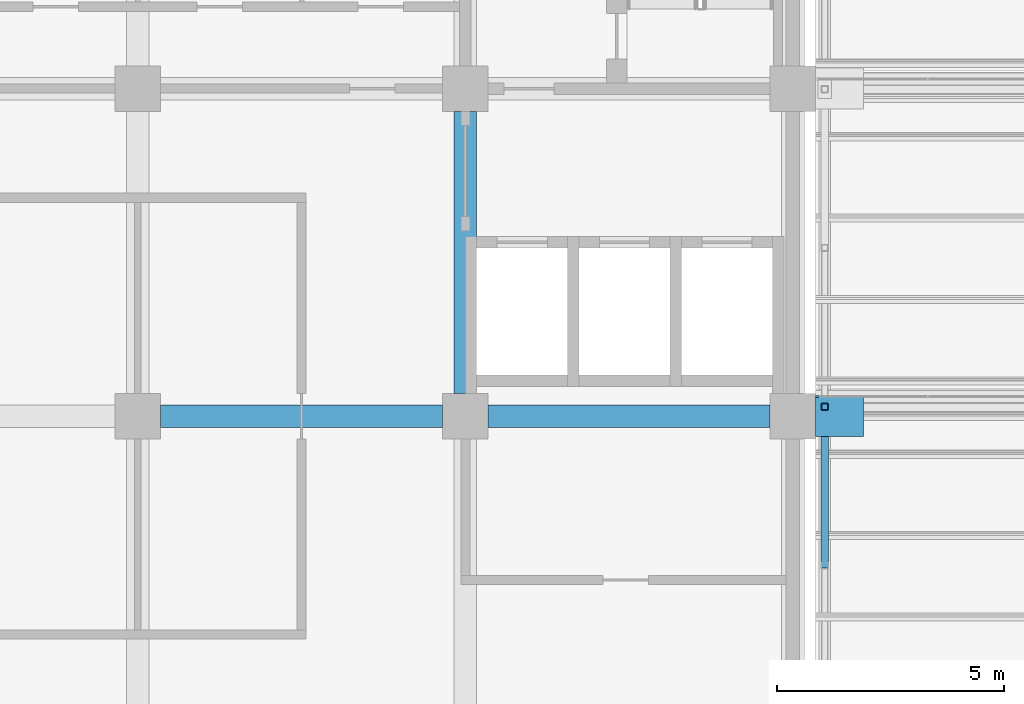
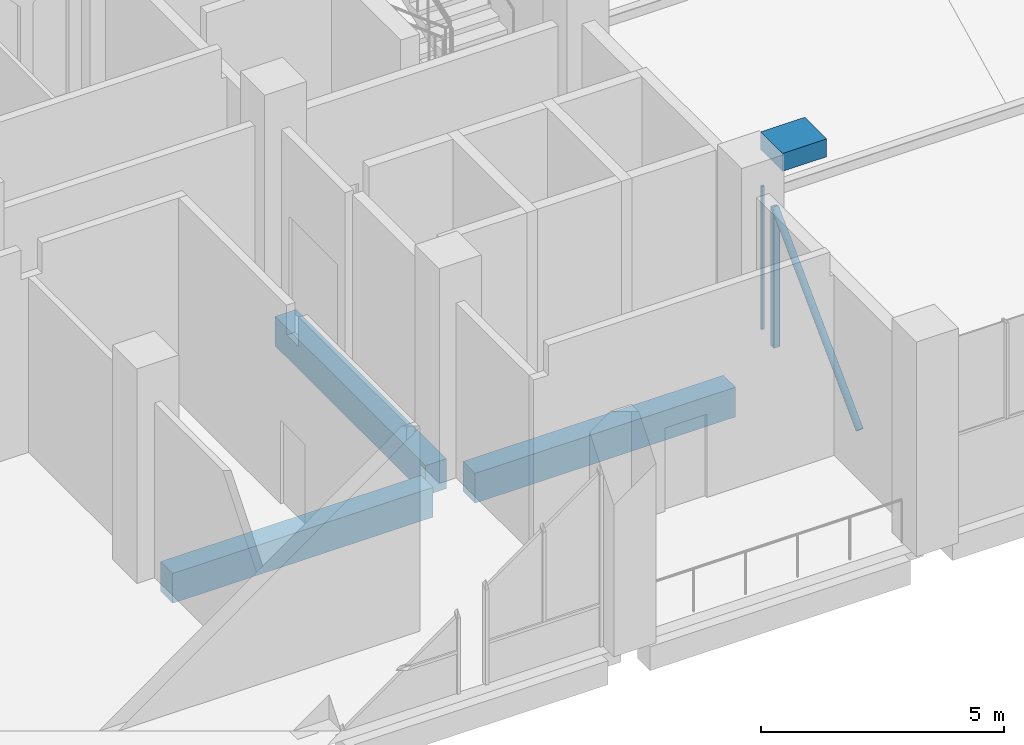
# One storey, part 24 of 83: 4 members, 3 beams, 1 element without a shape of its own.
"""IFC4 building model written with IfcOpenShell, lengths in metres."""

from ifc_helpers import new_model, si_unit, direction, frame, origin, origin_2d, place, context, subcontext, project, spatial, rectangle, hollow_rectangle, hollow_circle, extrude, material, material_profile, profile_set, type_object, element, aggregate, save


model = new_model("IFC4")

# Units and contexts
model_context = context("Model", 3, precision=1e-05, world=origin(), true_north=direction((0.0, 1.0)))
body_context = subcontext(model_context, "Body", "Model", "MODEL_VIEW")
ifc_project = project(units=[si_unit("LENGTHUNIT", "METRE"), si_unit("AREAUNIT", "SQUARE_METRE"), si_unit("VOLUMEUNIT", "CUBIC_METRE"), si_unit("PLANEANGLEUNIT", "RADIAN"), si_unit("MASSUNIT", "GRAM", prefix="KILO")], contexts=[model_context])

# Site, building, storey
site_placement = place(None, origin())
site = spatial("IfcSite", under=ifc_project, at=site_placement, CompositionType="ELEMENT")
building_placement = place(site_placement, origin())
building = spatial("IfcBuilding", under=site, at=building_placement, Name="Silangan Lancet Faculty of Sciences", CompositionType="ELEMENT")
storey_placement = place(building_placement, frame((0.0, 0.0, 11.39990234375)))
storey = spatial("IfcBuildingStorey", under=building, at=storey_placement, Name="L02", CompositionType="ELEMENT", Elevation=11.39990234375)

# Beams
ifc_material_1 = material(Name="Concrete C40/50", Category="concrete")
ifc_material_profile_1 = material_profile(ifc_material_1, rectangle(XDim=0.5, YDim=0.75, at=origin_2d()), Name="RC 500x750")
ifc_profile_set_1 = profile_set([ifc_material_profile_1], Name="Concrete C40/50")
beam_type = type_object("IfcBeamType", Name="BEAM RC 500x750", PredefinedType="BEAM", material=ifc_profile_set_1)
beam_placement = place(storey_placement, frame((14.89990234375, 43.199951171875, -0.625), z_axis=(1.0, 0.0, 0.0), x_axis=(0.0, 1.0, 0.0)))
element("IfcBeam", 1, at=beam_placement, inside=storey, type_object=beam_type, Name="BM-L02-3G-4G", PredefinedType="BEAM", context=body_context, shape_type="SweptSolid", body=[
    extrude(rectangle(XDim=0.5, YDim=0.75, at=origin_2d()), origin(), (0.0, 0.0, 1.0), 6.2001953125),
])
for number, where, z_axis, x_axis, name in (
    (2, (22.10009765625, 43.199951171875, -0.625), (1.0, 0.0, 0.0), (0.0, 1.0, 0.0), "BM-L02-4G-5G"),
    (3, (21.60009765625, 43.699951171875, -0.625), (0.0, 1.0, 0.0), (-1.0, 0.0, 0.0), "BM-L02-4G-4H"),
):
    element("IfcBeam", number, at=place(storey_placement, frame(where, z_axis=z_axis, x_axis=x_axis)), inside=storey, type_object=beam_type, Name=name, PredefinedType="BEAM", context=body_context, shape_type="SweptSolid", body=[
        extrude(rectangle(XDim=0.5, YDim=0.75, at=origin_2d()), origin(), (0.0, 0.0, 1.0), 6.199951171875),
    ])

# Member
ifc_material_2 = material(Name="Concrete C40/50 precast", Category="concrete")
ifc_material_profile_2 = material_profile(ifc_material_2, rectangle(XDim=0.89990234375, YDim=0.449951171875, at=origin_2d()), Name="RC 900x450")
ifc_profile_set_2 = profile_set([ifc_material_profile_2], Name="Concrete C40/50 precast")
member_type_1 = type_object("IfcMemberType", Name="KC4 Buttress corbel 900x450", PredefinedType="USERDEFINED", material=ifc_profile_set_2)
member_1_placement = place(storey_placement, frame((29.300048828125, 43.199951171875, 5.175048828125), z_axis=(1.0, 0.0, 0.0), x_axis=(0.0, 1.0, 0.0)))
element("IfcMember", 4, at=member_1_placement, inside=storey, type_object=member_type_1, Name="CORBEL-FINC-E-NT-02", ObjectType="CORBEL", PredefinedType="USERDEFINED", context=body_context, shape_type="SweptSolid", body=[
    extrude(rectangle(XDim=0.89990234375, YDim=0.449951171875, at=origin_2d()), origin(), (0.0, 0.0, 1.0), 1.050048828125),
])

# Curtain wall, member
ifc_material_3 = material(Name="Aluminium and laminated glass", Category="aluminium")
curtain_wall_type = type_object("IfcCurtainWallType", Name="North light glazing system", PredefinedType="NOTDEFINED", material=ifc_material_3)
curtain_wall_placement = place(storey_placement, origin())
curtain_wall = element("IfcCurtainWall", 5, at=curtain_wall_placement, inside=storey, type_object=curtain_wall_type, Name="North light glazing NAB-1-1", PredefinedType="NOTDEFINED")
ifc_material_4 = material(Name="Aluminium 6063-T6", Category="aluminium")
ifc_material_profile_3 = material_profile(ifc_material_4, rectangle(XDim=0.06005859375, YDim=0.050048828125, at=origin_2d()), Name="AL 60x50")
ifc_profile_set_3 = profile_set([ifc_material_profile_3], Name="Aluminium 6063-T6")
member_type_2 = type_object("IfcMemberType", Name="North light mullion 60x50", PredefinedType="MULLION", material=ifc_profile_set_3)
member_2_placement = place(storey_placement, frame((29.330078125, 43.631591796875, 0.4423828125), z_axis=(0.0, 0.0, 1.0), x_axis=(1.0, 0.0, 0.0)))
member_2 = element("IfcMember", 6, at=member_2_placement, type_object=member_type_2, Name="North light mullion NAB-1-1 1", PredefinedType="MULLION", context=body_context, shape_type="SweptSolid", body=[
    extrude(rectangle(XDim=0.06005859375, YDim=0.050048828125, at=origin_2d()), origin(), (0.0, 0.0, 1.0), 3.60595703125),
])
aggregate(curtain_wall, [member_2])

# Members
ifc_material_5 = material(Name="Steel STK400", Category="steel")
ifc_material_profile_4 = material_profile(ifc_material_5, hollow_circle(Radius=0.08251953125, WallThickness=0.0048828125, at=origin_2d()), Name="CHS 165.2x5.0")
ifc_profile_set_4 = profile_set([ifc_material_profile_4], Name="Steel STK400")
member_type_3 = type_object("IfcMemberType", Name="Truss diagonal CHS 165.2x5.0", PredefinedType="BRACE", material=ifc_profile_set_4)
member_3_placement = place(storey_placement, frame((29.5, 39.915771484375, 0.09521484375), z_axis=(0.0, 0.707131507361, 0.707082054147), x_axis=(-1.0, 0.0, 0.0)))
element("IfcMember", 7, at=member_3_placement, inside=storey, type_object=member_type_3, Name="Truss 1 diagonal 1", PredefinedType="BRACE", context=body_context, shape_type="SweptSolid", body=[
    extrude(hollow_circle(Radius=0.08251953125, WallThickness=0.0048828125, at=origin_2d()), origin(), (0.0, 0.0, 1.0), 4.936767578125),
])
ifc_material_6 = material(Name="Steel STKR400", Category="steel")
ifc_material_profile_5 = material_profile(ifc_material_6, hollow_rectangle(XDim=0.14990234375, YDim=0.14990234375, WallThickness=0.006103515625, InnerFilletRadius=0.006103515625, OuterFilletRadius=0.011962890625, at=origin_2d()), Name="SHS 150x150x6.0")
ifc_profile_set_5 = profile_set([ifc_material_profile_5], Name="Steel STKR400")
member_type_4 = type_object("IfcMemberType", Name="Truss post SHS 150x150x6.0", PredefinedType="POST", material=ifc_profile_set_5)
member_4_placement = place(storey_placement, frame((29.5, 43.40673828125, 0.09521484375), z_axis=(0.0, 0.0, 1.0), x_axis=(1.0, 0.0, 0.0)))
element("IfcMember", 8, at=member_4_placement, inside=storey, type_object=member_type_4, Name="Truss 1 riser post 1", PredefinedType="POST", context=body_context, shape_type="SweptSolid", body=[
    extrude(hollow_rectangle(XDim=0.14990234375, YDim=0.14990234375, WallThickness=0.006103515625, InnerFilletRadius=0.006103515625, OuterFilletRadius=0.011962890625, at=origin_2d()), origin(), (0.0, 0.0, 1.0), 3.49072265625),
])

save(model, "model.ifc")
